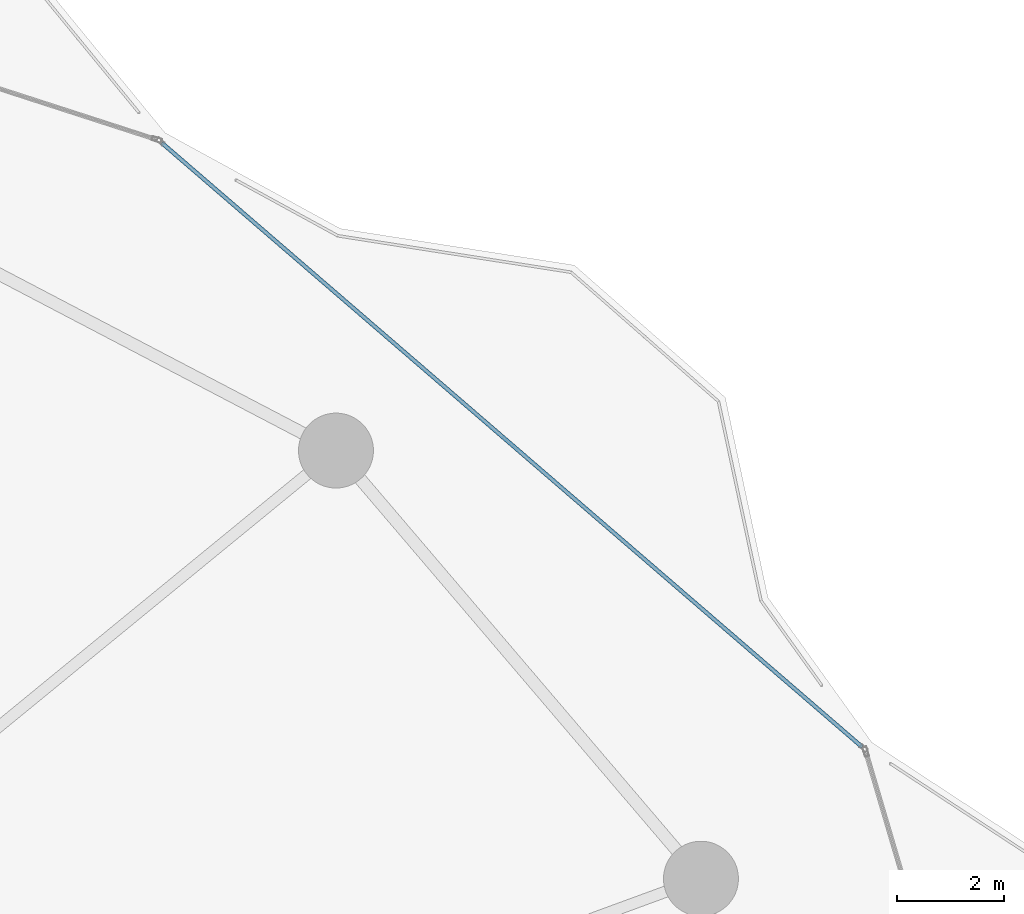
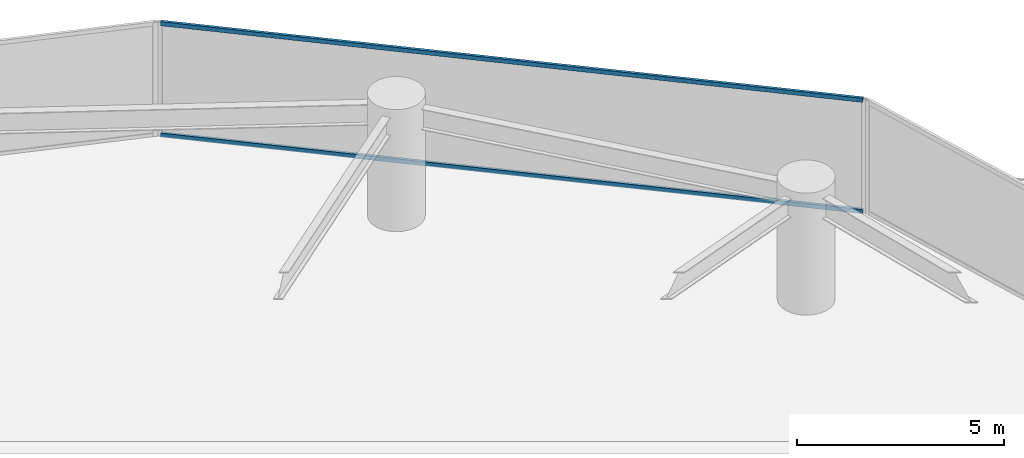
# One storey, part 20 of 33: 2 members, 1 element without a shape of its own.
"""IFC4 building model written with IfcOpenShell, lengths in metres."""

from ifc_helpers import new_model, si_unit, direction, frame, origin, origin_2d, place, context, subcontext, project, spatial, hollow_rectangle, extrude, material, layer, layer_set, material_profile, profile_set, type_object, element, aggregate, save


model = new_model("IFC4")

# Units and contexts
model_context = context("Model", 3, precision=1e-05, world=origin(), true_north=direction((0.0, 1.0)))
body_context = subcontext(model_context, "Body", "Model", "MODEL_VIEW")
ifc_project = project(units=[si_unit("LENGTHUNIT", "METRE"), si_unit("AREAUNIT", "SQUARE_METRE"), si_unit("VOLUMEUNIT", "CUBIC_METRE"), si_unit("PLANEANGLEUNIT", "RADIAN"), si_unit("MASSUNIT", "GRAM", prefix="KILO")], contexts=[model_context])

# Site, building, storey
site_placement = place(None, origin())
site = spatial("IfcSite", under=ifc_project, at=site_placement, CompositionType="ELEMENT")
building_placement = place(site_placement, origin())
building = spatial("IfcBuilding", under=site, at=building_placement, Name="Kazevale Care Tower and Concert Hall", CompositionType="ELEMENT")
storey_placement = place(building_placement, frame((0.0, 0.0, 27.60009765625)))
storey = spatial("IfcBuildingStorey", under=building, at=storey_placement, Name="L06", CompositionType="ELEMENT", Elevation=27.60009765625)

# Curtain wall, members
ifc_material_1 = material(Name="Aluminium 6063-T6 and Low-E Glass", Category="aluminium")
ifc_layer = layer(ifc_material_1, 0.179931640625)
ifc_layer_set = layer_set([ifc_layer], Name="Aluminium 6063-T6 and Low-E Glass")
curtain_wall_type = type_object("IfcCurtainWallType", Name="Convex Recessed Sunroom Curtain Wall CW-3", PredefinedType="NOTDEFINED", material=ifc_layer_set)
curtain_wall_placement = place(storey_placement, origin())
curtain_wall = element("IfcCurtainWall", 1, at=curtain_wall_placement, inside=storey, type_object=curtain_wall_type, Name="cw:L06:f17", PredefinedType="NOTDEFINED")
ifc_material_2 = material(Name="Aluminium 6063-T6", Category="aluminium")
ifc_material_profile = material_profile(ifc_material_2, hollow_rectangle(XDim=0.074951171875, YDim=0.1201171875, WallThickness=0.00390625, at=origin_2d()), Name="ALU75x120x4")
ifc_profile_set = profile_set([ifc_material_profile], Name="Aluminium 6063-T6")
member_type = type_object("IfcMemberType", Name="CW-3 Transom ALU75x120x4", PredefinedType="USERDEFINED", material=ifc_profile_set)
member_1_placement = place(storey_placement, frame((63.98681640625, 61.178955078125, 0.037353515625), z_axis=(0.757205368894, -0.653176874451, 0.0), x_axis=(0.653176874451, 0.757205368894, 0.0)))
member_1 = element("IfcMember", 2, at=member_1_placement, type_object=member_type, Name="CW-3 transom 1.1", ObjectType="TRANSOM", PredefinedType="USERDEFINED", context=body_context, shape_type="SweptSolid", body=[
    extrude(hollow_rectangle(XDim=0.074951171875, YDim=0.1201171875, WallThickness=0.00390625, at=origin_2d()), origin(), (0.0, 0.0, 1.0), 17.280029296875),
])
member_2_placement = place(storey_placement, frame((63.98681640625, 61.178955078125, 3.322509765625), z_axis=(0.757205368894, -0.653176874451, 0.0), x_axis=(0.653176874451, 0.757205368894, 0.0)))
member_2 = element("IfcMember", 3, at=member_2_placement, type_object=member_type, Name="CW-3 transom 1.2", ObjectType="TRANSOM", PredefinedType="USERDEFINED", context=body_context, shape_type="SweptSolid", body=[
    extrude(hollow_rectangle(XDim=0.074951171875, YDim=0.1201171875, WallThickness=0.00390625, at=origin_2d()), origin(), (0.0, 0.0, 1.0), 17.280029296875),
])
aggregate(curtain_wall, [member_1, member_2])

save(model, "model.ifc")
